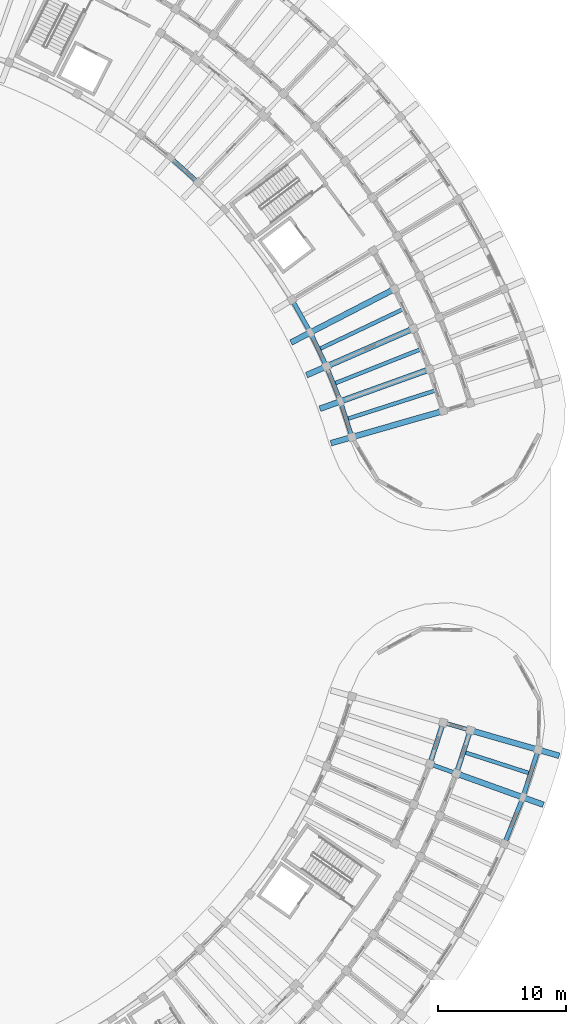
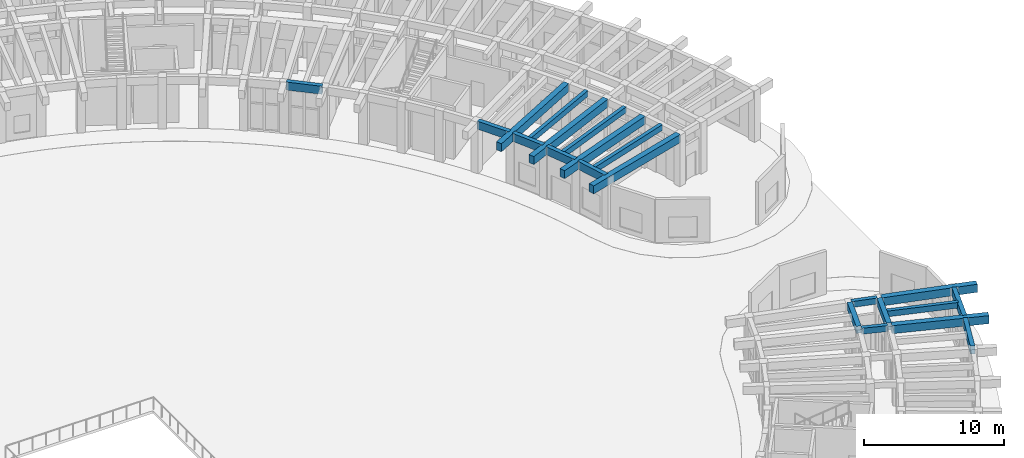
# One storey, part 62 of 132: 21 beams.
"""IFC4 building model written with IfcOpenShell, lengths in metres."""

from ifc_helpers import new_model, si_unit, direction, frame, origin, origin_2d, place, context, subcontext, project, spatial, rectangle, extrude, material, material_profile, profile_set, type_object, element, save


model = new_model("IFC4")

# Units and contexts
model_context = context("Model", 3, precision=1e-05, world=origin(), true_north=direction((0.0, 1.0)))
body_context = subcontext(model_context, "Body", "Model", "MODEL_VIEW")
ifc_project = project(units=[si_unit("LENGTHUNIT", "METRE"), si_unit("AREAUNIT", "SQUARE_METRE"), si_unit("VOLUMEUNIT", "CUBIC_METRE"), si_unit("PLANEANGLEUNIT", "RADIAN"), si_unit("MASSUNIT", "GRAM", prefix="KILO")], contexts=[model_context])

# Site, building, storey
site_placement = place(None, origin())
site = spatial("IfcSite", under=ifc_project, at=site_placement, CompositionType="ELEMENT")
building_placement = place(site_placement, origin())
building = spatial("IfcBuilding", under=site, at=building_placement, Name="Tanwirah Colonnade Gardens", CompositionType="ELEMENT")
storey_placement = place(building_placement, origin())
storey = spatial("IfcBuildingStorey", under=building, at=storey_placement, Name="L00", CompositionType="ELEMENT", Elevation=0.0)

# Beams
ifc_material_1 = material(Name="Precast concrete C40/50", Category="concrete")
ifc_material_profile_1 = material_profile(ifc_material_1, rectangle(XDim=0.320068359375, YDim=0.52001953125, at=origin_2d()), Name="PC-BM 320x520")
ifc_profile_set_1 = profile_set([ifc_material_profile_1], Name="Precast concrete C40/50")
beam_type_1 = type_object("IfcBeamType", Name="BM-PC320", PredefinedType="BEAM", material=ifc_profile_set_1)
for number, where, z_axis, x_axis, name in (
    (1, (169.941162109375, 46.92822265625, 4.22509765625), (0.941214575511, -0.337809299525, 0.0), (0.337809299525, 0.941214575511, 0.0), "Block D L00 Corridor Tie Beam 15"),
    (2, (170.985595703125, 50.166748046875, 4.22509765625), (0.961266538157, -0.275620468433, 0.0), (0.275620468433, 0.961266538157, 0.0), "Block D L00 Corridor Tie Beam 16"),
):
    element("IfcBeam", number, at=place(storey_placement, frame(where, z_axis=z_axis, x_axis=x_axis)), inside=storey, type_object=beam_type_1, Name=name, PredefinedType="BEAM", context=body_context, shape_type="SweptSolid", body=[
        extrude(rectangle(XDim=0.320068359375, YDim=0.52001953125, at=origin_2d()), origin(), (0.0, 0.0, 1.0), 1.89990234375),
    ])
ifc_material_profile_2 = material_profile(ifc_material_1, rectangle(XDim=0.3798828125, YDim=0.6201171875, at=origin_2d()), Name="PC-BM 380x620")
ifc_profile_set_2 = profile_set([ifc_material_profile_2], Name="Precast concrete C40/50")
beam_type_2 = type_object("IfcBeamType", Name="BM-PC380", PredefinedType="BEAM", material=ifc_profile_set_2)
beam_1_placement = place(storey_placement, frame((169.845947265625, 47.121826171875, 4.175048828125), z_axis=(0.306977410573, 0.951716801048, 0.0), x_axis=(-0.951716801048, 0.306977410573, 0.0)))
element("IfcBeam", 3, at=beam_1_placement, inside=storey, type_object=beam_type_2, Name="Block D L00 Circumferential Beam 15-R1", PredefinedType="BEAM", context=body_context, shape_type="SweptSolid", body=[
    extrude(rectangle(XDim=0.3798828125, YDim=0.6201171875, at=origin_2d()), origin(), (0.0, 0.0, 1.0), 3.093017578125),
])
beam_2_placement = place(storey_placement, frame((171.91650390625, 46.37841796875, 4.175048828125), z_axis=(0.306980742305, 0.951715726388, 0.0), x_axis=(-0.951715726388, 0.306980742305, 0.0)))
element("IfcBeam", 4, at=beam_2_placement, inside=storey, type_object=beam_type_2, Name="Block D L00 Circumferential Beam 15-R2", PredefinedType="BEAM", context=body_context, shape_type="SweptSolid", body=[
    extrude(rectangle(XDim=0.3798828125, YDim=0.6201171875, at=origin_2d()), origin(), (0.0, 0.0, 1.0), 3.23681640625),
])
ifc_material_2 = material(Name="Precast concrete C45/55", Category="concrete")
ifc_material_profile_3 = material_profile(ifc_material_2, rectangle(XDim=0.449951171875, YDim=0.699951171875, at=origin_2d()), Name="PC-BM 450x700")
ifc_profile_set_3 = profile_set([ifc_material_profile_3], Name="Precast concrete C45/55")
beam_type_3 = type_object("IfcBeamType", Name="BM-PC450", PredefinedType="BEAM", material=ifc_profile_set_3)
for number, where, z_axis, x_axis, name in (
    (5, (170.697265625, 74.450439453125, 4.135009765625), (-0.961258954076, -0.275646917646, 0.0), (0.275646917646, -0.961258954076, 0.0), "Block B L00 Inner Radial Precast Girder 0"),
    (6, (169.650390625, 77.69384765625, 4.135009765625), (-0.941017049702, -0.338359146723, 0.0), (0.338359146723, -0.941017049702, 0.0), "Block B L00 Inner Radial Precast Girder 1"),
):
    element("IfcBeam", number, at=place(storey_placement, frame(where, z_axis=z_axis, x_axis=x_axis)), inside=storey, type_object=beam_type_3, Name=name, PredefinedType="BEAM", context=body_context, shape_type="SweptSolid", body=[
        extrude(rectangle(XDim=0.449951171875, YDim=0.699951171875, at=origin_2d()), origin(), (0.0, 0.0, 1.0), 8.949951171875),
    ])
beam_3_placement = place(storey_placement, frame((168.39208984375, 80.861328125, 4.135009765625), z_axis=(-0.916669317869, -0.399646545934, 0.0), x_axis=(0.399646545934, -0.916669317869, 0.0)))
element("IfcBeam", 7, at=beam_3_placement, inside=storey, type_object=beam_type_3, Name="Block B L00 Inner Radial Precast Girder 2", PredefinedType="BEAM", context=body_context, shape_type="SweptSolid", body=[
    extrude(rectangle(XDim=0.449951171875, YDim=0.699951171875, at=origin_2d()), origin(), (0.0, 0.0, 1.0), 8.9501953125),
])
beam_4_placement = place(storey_placement, frame((166.927734375, 83.93896484375, 4.135009765625), z_axis=(-0.888345427876, -0.459175784175, 0.0), x_axis=(0.459175784175, -0.888345427876, 0.0)))
element("IfcBeam", 8, at=beam_4_placement, inside=storey, type_object=beam_type_3, Name="Block B L00 Inner Radial Precast Girder 3", PredefinedType="BEAM", context=body_context, shape_type="SweptSolid", body=[
    extrude(rectangle(XDim=0.449951171875, YDim=0.699951171875, at=origin_2d()), origin(), (0.0, 0.0, 1.0), 8.949951171875),
])
for number, where, z_axis, x_axis, name in (
    (9, (172.01171875, 46.184814453125, 4.135009765625), (0.941174903614, -0.337919814168, 0.0), (0.337919814168, 0.941174903614, 0.0), "Block D L00 Outer Radial Precast Girder 15"),
    (10, (173.100341796875, 49.560546875, 4.135009765625), (0.961256910003, -0.275654045811, 0.0), (0.275654045811, 0.961256910003, 0.0), "Block D L00 Outer Radial Precast Girder 16"),
):
    element("IfcBeam", number, at=place(storey_placement, frame(where, z_axis=z_axis, x_axis=x_axis)), inside=storey, type_object=beam_type_3, Name=name, PredefinedType="BEAM", context=body_context, shape_type="SweptSolid", body=[
        extrude(rectangle(XDim=0.449951171875, YDim=0.699951171875, at=origin_2d()), origin(), (0.0, 0.0, 1.0), 7.050048828125),
    ])
ifc_material_profile_4 = material_profile(ifc_material_1, rectangle(XDim=0.300048828125, YDim=0.5, at=origin_2d()), Name="PC-JST 300x500")
ifc_profile_set_4 = profile_set([ifc_material_profile_4], Name="Precast concrete C40/50")
beam_type_4 = type_object("IfcBeamType", Name="JST-PC300", PredefinedType="JOIST", material=ifc_profile_set_4)
beam_5_placement = place(storey_placement, frame((163.415283203125, 73.890625, 4.235107421875), z_axis=(0.951647858625, 0.307191069489, 0.0), x_axis=(-0.307191069489, 0.951647858625, 0.0)))
element("IfcBeam", 11, at=beam_5_placement, inside=storey, type_object=beam_type_4, Name="Block B L00 Inner Precast Floor Joist 0", PredefinedType="JOIST", context=body_context, shape_type="SweptSolid", body=[
    extrude(rectangle(XDim=0.300048828125, YDim=0.5, at=origin_2d()), origin(), (0.0, 0.0, 1.0), 7.159912109375),
])
for number, where, z_axis, x_axis, name in (
    (12, (162.4208984375, 76.655517578125, 4.235107421875), (0.929348880779, 0.369202732649, 0.0), (-0.369202732649, 0.929348880779, 0.0), "Block B L00 Inner Precast Floor Joist 1"),
    (13, (161.246826171875, 79.348876953125, 4.235107421875), (0.903005429363, 0.429629136048, 0.0), (-0.429629136048, 0.903005429363, 0.0), "Block B L00 Inner Precast Floor Joist 2"),
):
    element("IfcBeam", number, at=place(storey_placement, frame(where, z_axis=z_axis, x_axis=x_axis)), inside=storey, type_object=beam_type_4, Name=name, PredefinedType="JOIST", context=body_context, shape_type="SweptSolid", body=[
        extrude(rectangle(XDim=0.300048828125, YDim=0.5, at=origin_2d()), origin(), (0.0, 0.0, 1.0), 7.16015625),
    ])
beam_6_placement = place(storey_placement, frame((172.55517578125, 47.873046875, 4.235107421875), z_axis=(0.95172917624, -0.30693904133, 0.0), x_axis=(0.30693904133, 0.95172917624, 0.0)))
element("IfcBeam", 14, at=beam_6_placement, inside=storey, type_object=beam_type_4, Name="Block D L00 Precast Floor Joist 15", PredefinedType="JOIST", context=body_context, shape_type="SweptSolid", body=[
    extrude(rectangle(XDim=0.300048828125, YDim=0.5, at=origin_2d()), origin(), (0.0, 0.0, 1.0), 5.260009765625),
])
ifc_material_profile_5 = material_profile(ifc_material_2, rectangle(XDim=0.340087890625, YDim=0.699951171875, at=origin_2d()), Name="PC-SP 340x700")
ifc_profile_set_5 = profile_set([ifc_material_profile_5], Name="Precast concrete C45/55")
beam_type_5 = type_object("IfcBeamType", Name="SP-PC340", PredefinedType="SPANDREL", material=ifc_profile_set_5)
beam_7_placement = place(storey_placement, frame((163.681884765625, 72.5947265625, 4.135009765625), z_axis=(-0.307135661902, 0.951665742363, 0.0), x_axis=(-0.951665742363, -0.307135661902, 0.0)))
element("IfcBeam", 15, at=beam_7_placement, inside=storey, type_object=beam_type_5, Name="Block B L00 Circumferential Beam 0-R0", PredefinedType="SPANDREL", context=body_context, shape_type="SweptSolid", body=[
    extrude(rectangle(XDim=0.340087890625, YDim=0.699951171875, at=origin_2d()), origin(), (0.0, 0.0, 1.0), 2.63037109375),
])
beam_8_placement = place(storey_placement, frame((162.772705078125, 75.380126953125, 4.135009765625), z_axis=(-0.369245181709, 0.929332015904, 0.0), x_axis=(-0.929332015904, -0.369245181709, 0.0)))
element("IfcBeam", 16, at=beam_8_placement, inside=storey, type_object=beam_type_5, Name="Block B L00 Circumferential Beam 1-R0", PredefinedType="SPANDREL", context=body_context, shape_type="SweptSolid", body=[
    extrude(rectangle(XDim=0.340087890625, YDim=0.699951171875, at=origin_2d()), origin(), (0.0, 0.0, 1.0), 2.630126953125),
])
beam_9_placement = place(storey_placement, frame((161.681640625, 78.099365234375, 4.135009765625), z_axis=(-0.42964173036, 0.902999437172, 0.0), x_axis=(-0.902999437172, -0.42964173036, 0.0)))
element("IfcBeam", 17, at=beam_9_placement, inside=storey, type_object=beam_type_5, Name="Block B L00 Circumferential Beam 2-R0", PredefinedType="SPANDREL", context=body_context, shape_type="SweptSolid", body=[
    extrude(rectangle(XDim=0.340087890625, YDim=0.699951171875, at=origin_2d()), origin(), (0.0, 0.0, 1.0), 2.63037109375),
])
beam_10_placement = place(storey_placement, frame((160.413818359375, 80.740966796875, 4.135009765625), z_axis=(-0.488170837957, 0.872748092503, 0.0), x_axis=(-0.872748092503, -0.488170837957, 0.0)))
element("IfcBeam", 18, at=beam_10_placement, inside=storey, type_object=beam_type_5, Name="Block B L00 Circumferential Beam 3-R0", PredefinedType="SPANDREL", context=body_context, shape_type="SweptSolid", body=[
    extrude(rectangle(XDim=0.340087890625, YDim=0.699951171875, at=origin_2d()), origin(), (0.0, 0.0, 1.0), 2.630126953125),
])
beam_11_placement = place(storey_placement, frame((151.6416015625, 92.394287109375, 4.135009765625), z_axis=(-0.744400790288, 0.667733077972, 0.0), x_axis=(-0.667733077972, -0.744400790288, 0.0)))
element("IfcBeam", 19, at=beam_11_placement, inside=storey, type_object=beam_type_5, Name="Block B L00 Circumferential Beam 8-R0", PredefinedType="SPANDREL", context=body_context, shape_type="SweptSolid", body=[
    extrude(rectangle(XDim=0.340087890625, YDim=0.699951171875, at=origin_2d()), origin(), (0.0, 0.0, 1.0), 2.63037109375),
])
beam_12_placement = place(storey_placement, frame((175.666259765625, 40.89404296875, 4.135009765625), z_axis=(0.368521552478, 0.929619204491, 0.0), x_axis=(-0.929619204491, 0.368521552478, 0.0)))
element("IfcBeam", 20, at=beam_12_placement, inside=storey, type_object=beam_type_5, Name="Block D L00 Circumferential Beam 14-R3", PredefinedType="SPANDREL", context=body_context, shape_type="SweptSolid", body=[
    extrude(rectangle(XDim=0.340087890625, YDim=0.699951171875, at=origin_2d()), origin(), (0.0, 0.0, 1.0), 3.5966796875),
])
beam_13_placement = place(storey_placement, frame((177.093017578125, 44.519775390625, 4.135009765625), z_axis=(0.306927419976, 0.951732924127, 0.0), x_axis=(-0.951732924127, 0.306927419976, 0.0)))
element("IfcBeam", 21, at=beam_13_placement, inside=storey, type_object=beam_type_5, Name="Block D L00 Circumferential Beam 15-R3", PredefinedType="SPANDREL", context=body_context, shape_type="SweptSolid", body=[
    extrude(rectangle(XDim=0.340087890625, YDim=0.699951171875, at=origin_2d()), origin(), (0.0, 0.0, 1.0), 3.596923828125),
])

save(model, "model.ifc")
